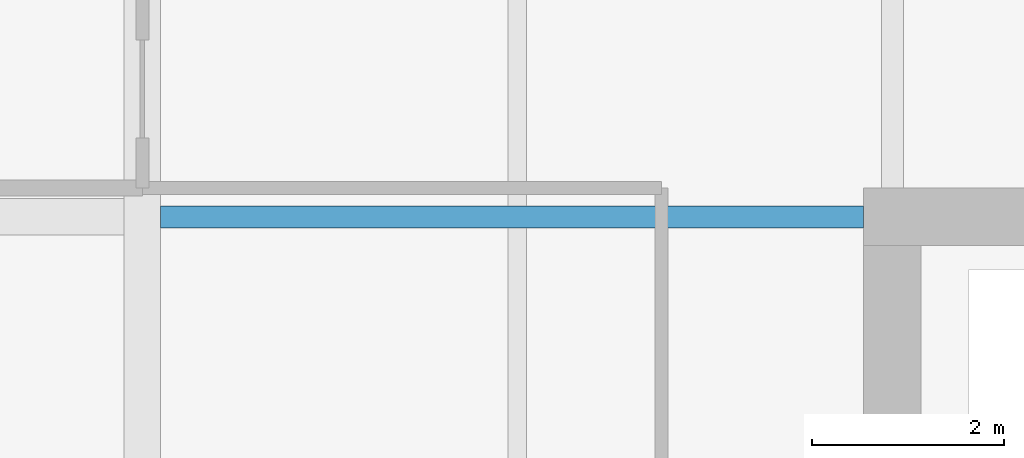
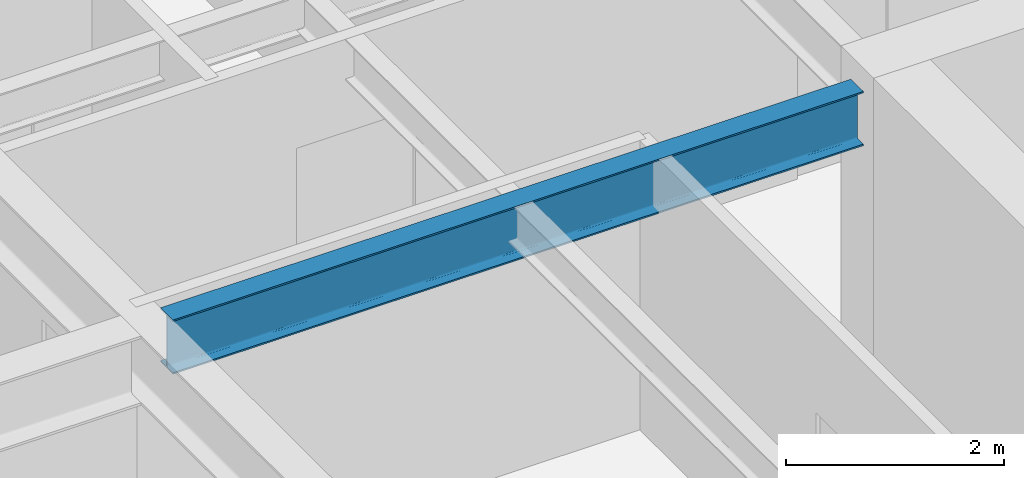
# One storey, part 18 of 38: 1 beam.
"""IFC4 building model written with IfcOpenShell, lengths in metres."""

from ifc_helpers import new_model, si_unit, direction, frame, origin, origin_2d, place, context, subcontext, project, spatial, i_section, extrude, material, material_profile, profile_set, type_object, element, save


model = new_model("IFC4")

# Units and contexts
model_context = context("Model", 3, precision=1e-05, world=origin(), true_north=direction((0.0, 1.0)))
body_context = subcontext(model_context, "Body", "Model", "MODEL_VIEW")
ifc_project = project(units=[si_unit("LENGTHUNIT", "METRE"), si_unit("AREAUNIT", "SQUARE_METRE"), si_unit("VOLUMEUNIT", "CUBIC_METRE"), si_unit("PLANEANGLEUNIT", "RADIAN"), si_unit("MASSUNIT", "GRAM", prefix="KILO")], contexts=[model_context])

# Site, building, storey
site_placement = place(None, origin())
site = spatial("IfcSite", under=ifc_project, at=site_placement, CompositionType="ELEMENT")
building_placement = place(site_placement, origin())
building = spatial("IfcBuilding", under=site, at=building_placement, Name="Drelvath Grand Hotel", CompositionType="ELEMENT")
storey_placement = place(building_placement, frame((0.0, 0.0, 68.199951171875)))
storey = spatial("IfcBuildingStorey", under=building, at=storey_placement, Name="L16", CompositionType="ELEMENT", Elevation=68.199951171875)

# Beam
ifc_material = material(Name="Steel ASTM A992 Gr 50", Category="steel")
ifc_material_profile = material_profile(ifc_material, i_section(OverallWidth=0.228271484375, OverallDepth=0.607666015625, WebThickness=0.01123046875, FlangeThickness=0.017333984375, FilletRadius=0.02001953125, at=origin_2d()), Name="W24X76")
ifc_profile_set = profile_set([ifc_material_profile], Name="Steel ASTM A992 Gr 50")
beam_type = type_object("IfcBeamType", Name="Primary Floor Girder W24X76", PredefinedType="BEAM", material=ifc_profile_set)
beam_placement = place(storey_placement, frame((-16.009765625, 35.39990234375, 2.936279296875), z_axis=(1.0, 0.0, 0.0), x_axis=(0.0, 1.0, 0.0)))
element("IfcBeam", 1, at=beam_placement, inside=storey, type_object=beam_type, Name="L16 West Core Tie F", PredefinedType="BEAM", context=body_context, shape_type="SweptSolid", body=[
    extrude(i_section(OverallWidth=0.228271484375, OverallDepth=0.607666015625, WebThickness=0.01123046875, FlangeThickness=0.017333984375, FilletRadius=0.02001953125, at=origin_2d()), origin(), (0.0, 0.0, 1.0), 7.309814453125),
])

save(model, "model.ifc")
